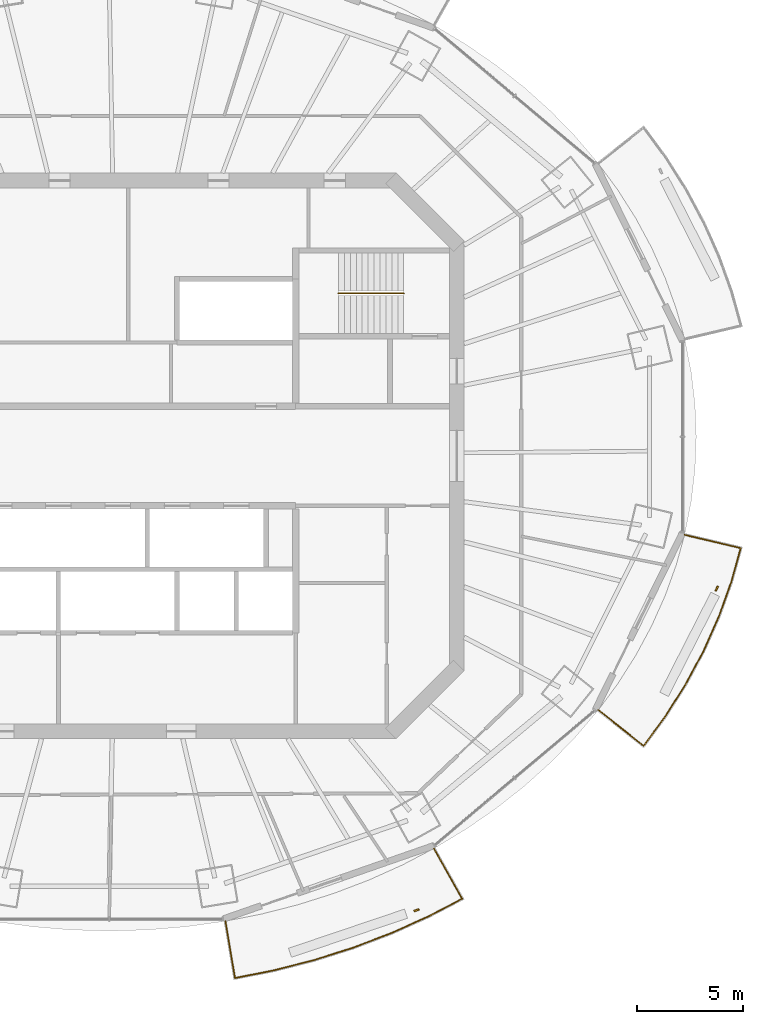
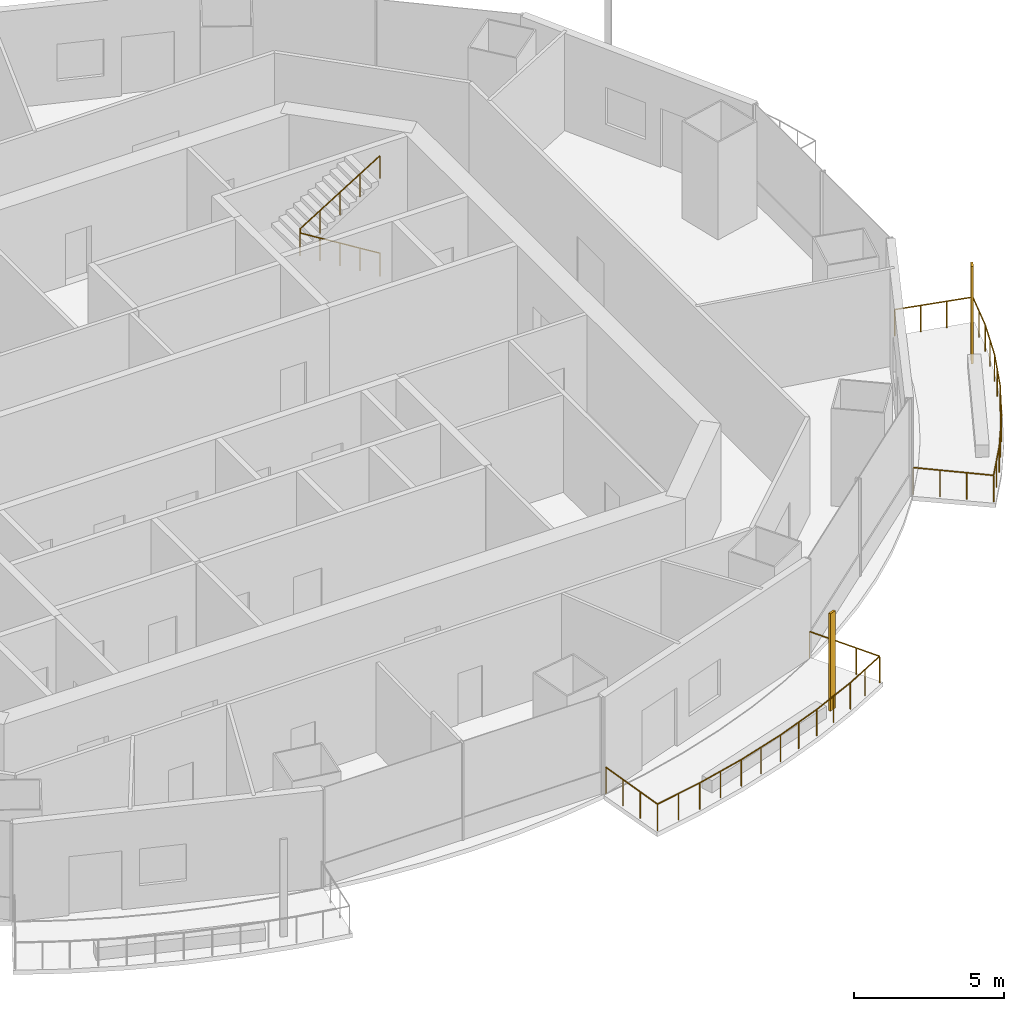
# One storey, part 13 of 16: 3 railings, 2 shading devices.
"""IFC4 building model written with IfcOpenShell, lengths in metres."""

from ifc_helpers import new_model, si_unit, direction, frame, origin, origin_2d, place, context, subcontext, project, spatial, rectangle, circle, extrude, material, material_profile, profile_set, type_object, element, save


model = new_model("IFC4")

# Units and contexts
model_context = context("Model", 3, precision=1e-05, world=origin(), true_north=direction((0.0, 1.0)))
body_context = subcontext(model_context, "Body", "Model", "MODEL_VIEW")
ifc_project = project(units=[si_unit("LENGTHUNIT", "METRE"), si_unit("AREAUNIT", "SQUARE_METRE"), si_unit("VOLUMEUNIT", "CUBIC_METRE"), si_unit("PLANEANGLEUNIT", "RADIAN"), si_unit("MASSUNIT", "GRAM", prefix="KILO")], contexts=[model_context])

# Site, building, storey
site_placement = place(None, origin())
site = spatial("IfcSite", under=ifc_project, at=site_placement, CompositionType="ELEMENT")
building_placement = place(site_placement, origin())
building = spatial("IfcBuilding", under=site, at=building_placement, Name="Marenthal Gate Tower", CompositionType="ELEMENT")
storey_placement = place(building_placement, frame((0.0, 0.0, 330.14990234375)))
storey = spatial("IfcBuildingStorey", under=building, at=storey_placement, Name="L74", CompositionType="ELEMENT", Elevation=330.14990234375)

# Railings
ifc_material_1 = material(Name="Stainless steel", Category="steel")
railing_type_1 = type_object("IfcRailingType", Name="Balcony guard 1100", PredefinedType="GUARDRAIL", material=ifc_material_1)
railing_1_placement = place(storey_placement, frame((14.92626953125, -18.534912109375, 0.0)))
element("IfcRailing", 1, at=railing_1_placement, inside=storey, type_object=railing_type_1, Name="Balcony guard L74 bay 13", PredefinedType="GUARDRAIL", context=body_context, shape_type="SweptSolid", body=[
    extrude(circle(Radius=0.02392578125, at=origin_2d()), frame((0.0, 0.0, 1.076171875), z_axis=(0.490566665054, -0.871280860656, -0.014629046177), x_axis=(0.871374106592, 0.49061916632, 0.0)), (0.0, 0.0, 1.0), 2.72021484375),
    extrude(circle(Radius=0.02392578125, at=origin_2d()), frame((1.33447265625, -2.3701171875, 1.0361328125), z_axis=(-0.886546608419, -0.462639288324, 0.0), x_axis=(0.462639288324, -0.886546608419, 0.0)), (0.0, 0.0, 1.0), 1.82177734375),
    extrude(circle(Radius=0.02392578125, at=origin_2d()), frame((-0.280517578125, -3.212890625, 1.0361328125), z_axis=(-0.911923891931, -0.410359373387, 0.0), x_axis=(0.410359373387, -0.911923891931, 0.0)), (0.0, 0.0, 1.0), 1.913818359375),
    extrude(circle(Radius=0.02392578125, at=origin_2d()), frame((-2.02587890625, -3.998291015625, 1.0361328125), z_axis=(-0.934345067438, -0.356369604419, 0.0), x_axis=(0.356369604419, -0.934345067438, 0.0)), (0.0, 0.0, 1.0), 1.92578125),
    extrude(circle(Radius=0.02392578125, at=origin_2d()), frame((-3.8251953125, -4.6845703125, 1.0361328125), z_axis=(-0.953294423238, -0.302042617232, 0.0), x_axis=(0.302042617232, -0.953294423238, 0.0)), (0.0, 0.0, 1.0), 1.935791015625),
    extrude(circle(Radius=0.02392578125, at=origin_2d()), frame((-5.670654296875, -5.269287109375, 1.0361328125), z_axis=(-0.968904264382, -0.247435903744, 0.0), x_axis=(0.247435903744, -0.968904264382, 0.0)), (0.0, 0.0, 1.0), 1.94482421875),
    extrude(circle(Radius=0.02392578125, at=origin_2d()), frame((-7.554931640625, -5.75048828125, 1.0361328125), z_axis=(-0.981044354343, -0.193783319228, 0.0), x_axis=(0.193783319228, -0.981044354343, 0.0)), (0.0, 0.0, 1.0), 1.8720703125),
    extrude(circle(Radius=0.02392578125, at=origin_2d()), frame((-9.3916015625, -6.11328125, 1.0361328125), z_axis=(-0.165225448315, 0.986147325412, 0.014628869134), x_axis=(-0.986252861995, -0.165243130591, 0.0)), (0.0, 0.0, 1.0), 2.72021484375),
    extrude(circle(Radius=0.02099609375, at=origin_2d()), origin(), (0.0, 0.0, 1.0), 1.052001953125),
    extrude(circle(Radius=0.02099609375, at=origin_2d()), frame((0.44482421875, -0.7900390625, -0.01318359375)), (0.0, 0.0, 1.0), 1.052001953125),
    extrude(circle(Radius=0.02099609375, at=origin_2d()), frame((0.8896484375, -1.580078125, -0.026611328125)), (0.0, 0.0, 1.0), 1.052001953125),
    extrude(circle(Radius=0.02099609375, at=origin_2d()), frame((1.33447265625, -2.3701171875, -0.039794921875)), (0.0, 0.0, 1.0), 1.052001953125),
    extrude(circle(Radius=0.02099609375, at=origin_2d()), frame((0.52685546875, -2.79150390625, -0.039794921875)), (0.0, 0.0, 1.0), 1.052001953125),
    extrude(circle(Radius=0.02099609375, at=origin_2d()), frame((-0.280517578125, -3.212890625, -0.039794921875)), (0.0, 0.0, 1.0), 1.052001953125),
    extrude(circle(Radius=0.02099609375, at=origin_2d()), frame((-1.1533203125, -3.60546875, -0.039794921875)), (0.0, 0.0, 1.0), 1.052001953125),
    extrude(circle(Radius=0.02099609375, at=origin_2d()), frame((-2.02587890625, -3.998291015625, -0.039794921875)), (0.0, 0.0, 1.0), 1.052001953125),
    extrude(circle(Radius=0.02099609375, at=origin_2d()), frame((-2.925537109375, -4.34130859375, -0.039794921875)), (0.0, 0.0, 1.0), 1.052001953125),
    extrude(circle(Radius=0.02099609375, at=origin_2d()), frame((-3.8251953125, -4.6845703125, -0.039794921875)), (0.0, 0.0, 1.0), 1.052001953125),
    extrude(circle(Radius=0.02099609375, at=origin_2d()), frame((-4.748046875, -4.97705078125, -0.039794921875)), (0.0, 0.0, 1.0), 1.052001953125),
    extrude(circle(Radius=0.02099609375, at=origin_2d()), frame((-5.670654296875, -5.269287109375, -0.039794921875)), (0.0, 0.0, 1.0), 1.052001953125),
    extrude(circle(Radius=0.02099609375, at=origin_2d()), frame((-6.61279296875, -5.509765625, -0.039794921875)), (0.0, 0.0, 1.0), 1.052001953125),
    extrude(circle(Radius=0.02099609375, at=origin_2d()), frame((-7.554931640625, -5.75048828125, -0.039794921875)), (0.0, 0.0, 1.0), 1.052001953125),
    extrude(circle(Radius=0.02099609375, at=origin_2d()), frame((-8.47314453125, -5.931884765625, -0.039794921875)), (0.0, 0.0, 1.0), 1.052001953125),
    extrude(circle(Radius=0.02099609375, at=origin_2d()), frame((-9.3916015625, -6.11328125, -0.039794921875)), (0.0, 0.0, 1.0), 1.052001953125),
    extrude(circle(Radius=0.02099609375, at=origin_2d()), frame((-9.54150390625, -5.218994140625, -0.026611328125)), (0.0, 0.0, 1.0), 1.052001953125),
    extrude(circle(Radius=0.02099609375, at=origin_2d()), frame((-9.691162109375, -4.324951171875, -0.01318359375)), (0.0, 0.0, 1.0), 1.052001953125),
    extrude(circle(Radius=0.02099609375, at=origin_2d()), frame((-9.841064453125, -3.4306640625, 0.0)), (0.0, 0.0, 1.0), 1.052001953125),
])
railing_2_placement = place(storey_placement, frame((26.760986328125, -3.728759765625, 0.0)))
element("IfcRailing", 2, at=railing_2_placement, inside=storey, type_object=railing_type_1, Name="Balcony guard L74 bay 15", PredefinedType="GUARDRAIL", context=body_context, shape_type="SweptSolid", body=[
    extrude(circle(Radius=0.02392578125, at=origin_2d()), frame((0.0, 0.0, 1.076171875), z_axis=(0.973163338784, -0.229650035407, -0.014627962396), x_axis=(0.229674609296, 0.97326747292, 0.0)), (0.0, 0.0, 1.0), 2.720458984375),
    extrude(circle(Radius=0.02392578125, at=origin_2d()), frame((2.6474609375, -0.624755859375, 1.0361328125), z_axis=(-0.268767418185, -0.963205105324, 0.0), x_axis=(0.963205105324, -0.268767418185, 0.0)), (0.0, 0.0, 1.0), 1.669677734375),
    extrude(circle(Radius=0.02392578125, at=origin_2d()), frame((2.19873046875, -2.23291015625, 1.0361328125), z_axis=(-0.338940900894, -0.940807666689, 0.0), x_axis=(0.940807666689, -0.338940900894, 0.0)), (0.0, 0.0, 1.0), 1.7568359375),
    extrude(circle(Radius=0.02392578125, at=origin_2d()), frame((1.603271484375, -3.8857421875, 1.0361328125), z_axis=(-0.408087166089, -0.912942969124, 0.0), x_axis=(0.912942969124, -0.408087166089, 0.0)), (0.0, 0.0, 1.0), 1.76611328125),
    extrude(circle(Radius=0.02392578125, at=origin_2d()), frame((0.882568359375, -5.498046875, 1.0361328125), z_axis=(-0.473837561929, -0.880612267065, 0.0), x_axis=(0.880612267065, -0.473837561929, 0.0)), (0.0, 0.0, 1.0), 1.776611328125),
    extrude(circle(Radius=0.02392578125, at=origin_2d()), frame((0.040771484375, -7.0625, 1.0361328125), z_axis=(-0.536035938593, -0.844195162588, 0.0), x_axis=(0.844195162588, -0.536035938593, 0.0)), (0.0, 0.0, 1.0), 1.7880859375),
    extrude(circle(Radius=0.02392578125, at=origin_2d()), frame((-0.917724609375, -8.572021484375, 1.0361328125), z_axis=(-0.592782936872, -0.805362272368, 0.0), x_axis=(0.805362272368, -0.592782936872, 0.0)), (0.0, 0.0, 1.0), 1.721435546875),
    extrude(circle(Radius=0.02392578125, at=origin_2d()), frame((-1.938232421875, -9.95849609375, 1.0361328125), z_axis=(-0.783448500282, 0.621284532354, 0.014627961689), x_axis=(-0.621351013405, -0.783532333819, 0.0)), (0.0, 0.0, 1.0), 2.720458984375),
    extrude(circle(Radius=0.02099609375, at=origin_2d()), origin(), (0.0, 0.0, 1.0), 1.052001953125),
    extrude(circle(Radius=0.02099609375, at=origin_2d()), frame((0.882568359375, -0.208251953125, -0.01318359375)), (0.0, 0.0, 1.0), 1.052001953125),
    extrude(circle(Radius=0.02099609375, at=origin_2d()), frame((1.764892578125, -0.41650390625, -0.026611328125)), (0.0, 0.0, 1.0), 1.052001953125),
    extrude(circle(Radius=0.02099609375, at=origin_2d()), frame((2.6474609375, -0.624755859375, -0.039794921875)), (0.0, 0.0, 1.0), 1.052001953125),
    extrude(circle(Radius=0.02099609375, at=origin_2d()), frame((2.423095703125, -1.4287109375, -0.039794921875)), (0.0, 0.0, 1.0), 1.052001953125),
    extrude(circle(Radius=0.02099609375, at=origin_2d()), frame((2.19873046875, -2.23291015625, -0.039794921875)), (0.0, 0.0, 1.0), 1.052001953125),
    extrude(circle(Radius=0.02099609375, at=origin_2d()), frame((1.90087890625, -3.059326171875, -0.039794921875)), (0.0, 0.0, 1.0), 1.052001953125),
    extrude(circle(Radius=0.02099609375, at=origin_2d()), frame((1.603271484375, -3.8857421875, -0.039794921875)), (0.0, 0.0, 1.0), 1.052001953125),
    extrude(circle(Radius=0.02099609375, at=origin_2d()), frame((1.242919921875, -4.69189453125, -0.039794921875)), (0.0, 0.0, 1.0), 1.052001953125),
    extrude(circle(Radius=0.02099609375, at=origin_2d()), frame((0.882568359375, -5.498046875, -0.039794921875)), (0.0, 0.0, 1.0), 1.052001953125),
    extrude(circle(Radius=0.02099609375, at=origin_2d()), frame((0.461669921875, -6.2802734375, -0.039794921875)), (0.0, 0.0, 1.0), 1.052001953125),
    extrude(circle(Radius=0.02099609375, at=origin_2d()), frame((0.040771484375, -7.0625, -0.039794921875)), (0.0, 0.0, 1.0), 1.052001953125),
    extrude(circle(Radius=0.02099609375, at=origin_2d()), frame((-0.4384765625, -7.8173828125, -0.039794921875)), (0.0, 0.0, 1.0), 1.052001953125),
    extrude(circle(Radius=0.02099609375, at=origin_2d()), frame((-0.917724609375, -8.572021484375, -0.039794921875)), (0.0, 0.0, 1.0), 1.052001953125),
    extrude(circle(Radius=0.02099609375, at=origin_2d()), frame((-1.427978515625, -9.26513671875, -0.039794921875)), (0.0, 0.0, 1.0), 1.052001953125),
    extrude(circle(Radius=0.02099609375, at=origin_2d()), frame((-1.938232421875, -9.95849609375, -0.039794921875)), (0.0, 0.0, 1.0), 1.052001953125),
    extrude(circle(Radius=0.02099609375, at=origin_2d()), frame((-2.648681640625, -9.39501953125, -0.026611328125)), (0.0, 0.0, 1.0), 1.052001953125),
    extrude(circle(Radius=0.02099609375, at=origin_2d()), frame((-3.359130859375, -8.831787109375, -0.01318359375)), (0.0, 0.0, 1.0), 1.052001953125),
    extrude(circle(Radius=0.02099609375, at=origin_2d()), frame((-4.069580078125, -8.268310546875, 0.0)), (0.0, 0.0, 1.0), 1.052001953125),
])
ifc_material_2 = material(Name="Stainless steel", Category="steel")
railing_type_2 = type_object("IfcRailingType", Name="Stair handrail", PredefinedType="HANDRAIL", material=ifc_material_2)
railing_3_placement = place(storey_placement, frame((13.5, 7.675048828125, 0.173095703125)))
element("IfcRailing", 3, at=railing_3_placement, inside=storey, type_object=railing_type_2, Name="Handrail ST3", PredefinedType="HANDRAIL", context=body_context, shape_type="SweptSolid", body=[
    extrude(circle(Radius=0.0224609375, at=origin_2d()), frame((0.0, 0.0, 0.927490234375), z_axis=(-0.850835241893, 0.0, 0.525432575268), x_axis=(0.0, -1.0, 0.0)), (0.0, 0.0, 1.0), 3.6201171875),
    extrude(circle(Radius=0.0224609375, at=origin_2d()), frame((-3.080078125, 0.0, 2.82958984375), z_axis=(0.0, 0.0, 1.0), x_axis=(1.0, 0.0, 0.0)), (0.0, 0.0, 1.0), 0.1728515625),
    extrude(circle(Radius=0.0224609375, at=origin_2d()), frame((-3.080078125, 0.0, 3.00244140625), z_axis=(0.850835241893, 0.0, 0.525432575268), x_axis=(0.0, 1.0, 0.0)), (0.0, 0.0, 1.0), 3.6201171875),
    extrude(circle(Radius=0.02001953125, at=origin_2d()), origin(), (0.0, 0.0, 1.0), 0.905029296875),
    extrude(circle(Radius=0.02001953125, at=origin_2d()), frame((-0.77001953125, 0.0, 0.4755859375)), (0.0, 0.0, 1.0), 0.905029296875),
    extrude(circle(Radius=0.02001953125, at=origin_2d()), frame((-1.5400390625, 0.0, 0.951171875)), (0.0, 0.0, 1.0), 0.905029296875),
    extrude(circle(Radius=0.02001953125, at=origin_2d()), frame((-2.31005859375, 0.0, 1.426513671875)), (0.0, 0.0, 1.0), 0.905029296875),
    extrude(circle(Radius=0.02001953125, at=origin_2d()), frame((-3.080078125, 0.0, 1.902099609375)), (0.0, 0.0, 1.0), 0.905029296875),
    extrude(circle(Radius=0.02001953125, at=origin_2d()), frame((-3.080078125, 0.0, 2.074951171875)), (0.0, 0.0, 1.0), 0.905029296875),
    extrude(circle(Radius=0.02001953125, at=origin_2d()), frame((-2.31005859375, 0.0, 2.550537109375)), (0.0, 0.0, 1.0), 0.905029296875),
    extrude(circle(Radius=0.02001953125, at=origin_2d()), frame((-1.5400390625, 0.0, 3.02587890625)), (0.0, 0.0, 1.0), 0.905029296875),
    extrude(circle(Radius=0.02001953125, at=origin_2d()), frame((-0.77001953125, 0.0, 3.50146484375)), (0.0, 0.0, 1.0), 0.905029296875),
    extrude(circle(Radius=0.02001953125, at=origin_2d()), frame((0.0, 0.0, 3.97705078125)), (0.0, 0.0, 1.0), 0.905029296875),
])

# Shading devices
ifc_material_3 = material(Name="Terracotta", Category="masonry")
ifc_material_profile = material_profile(ifc_material_3, rectangle(XDim=0.25, YDim=0.080078125, at=origin_2d()), Name="Terracotta baguette 250x80")
ifc_profile_set = profile_set([ifc_material_profile], Name="Terracotta")
shading_device_type = type_object("IfcShadingDeviceType", Name="Terracotta BAGUETTE SCREEN 250x80", PredefinedType="USERDEFINED", material=ifc_profile_set)
for number, where, z_axis, x_axis, name in (
    (4, (14.107666015625, -21.446044921875, -0.039794921875), (0.0, 0.0, 1.0), (0.944213856974, 0.329332950521, 0.0), "Terracotta BAGUETTE L74 bay 13R"),
    (5, (28.278076171875, -6.26318359375, -0.039794921875), (0.0, 0.0, 1.0), (0.441395261574, 0.897312778834, 0.0), "Terracotta BAGUETTE L74 bay 15R"),
):
    element("IfcShadingDevice", number, at=place(storey_placement, frame(where, z_axis=z_axis, x_axis=x_axis)), inside=storey, type_object=shading_device_type, Name=name, ObjectType="BAGUETTE SCREEN", PredefinedType="USERDEFINED", context=body_context, shape_type="SweptSolid", body=[
        extrude(rectangle(XDim=0.25, YDim=0.080078125, at=origin_2d()), origin(), (0.0, 0.0, 1.0), 3.969970703125),
    ])

save(model, "model.ifc")
